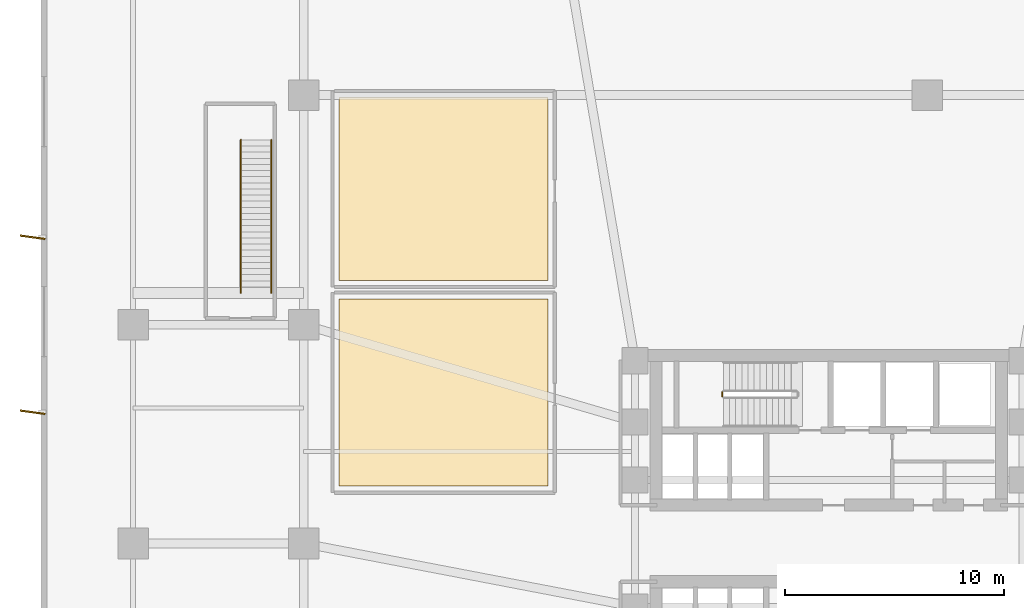
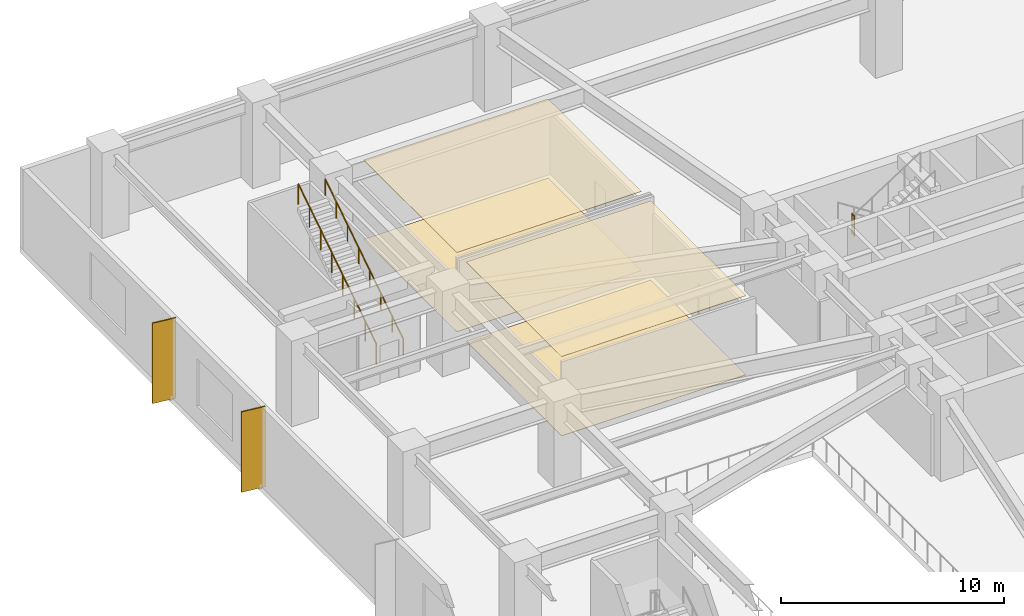
# One storey, part 10 of 12: 4 coverings, 3 railings, 2 shading devices.
"""IFC4 building model written with IfcOpenShell, lengths in metres."""

import ifcopenshell
import ifcopenshell.guid

model = None  # the IFC model being written
_history = None  # IfcOwnerHistory: only IFC2X3 demands one
_inside = {}  # id of a spatial element -> (the spatial element, [elements in it])
_under = {}  # id of a project, library or spatial element -> (it, [spatial elements below it])
_declared = {}  # id of a project -> (the project, [libraries it declares])
_typed = {}  # id of a type object -> (the type object, [elements of that type])
_made_of = {}  # id of a material, layer set ... -> (it, [elements and type objects made of it])


def new_model(schema):
    """Start an empty IFC model of exactly this schema.

    Asked for "IFC4X3", IfcOpenShell would pick the latest addendum, in which some entities
    have other attributes; the version numbers below select the first issue.
    IFC2X3 requires an IfcOwnerHistory on every rooted entity: one is made here for all.
    """
    global model, _history
    if schema == "IFC4X3":
        model = ifcopenshell.file(schema_version=(4, 3, 0, 0))
    else:
        model = ifcopenshell.file(schema=schema)
    _inside.clear()
    _under.clear()
    _declared.clear()
    _typed.clear()
    _made_of.clear()
    _history = None
    if model.schema == "IFC2X3":
        org = make("IfcOrganization", Name="unknown")
        user = make(
            "IfcPersonAndOrganization",
            ThePerson=make("IfcPerson", FamilyName="unknown"),
            TheOrganization=org,
        )
        app = make(
            "IfcApplication",
            ApplicationDeveloper=org,
            Version="unknown",
            ApplicationFullName="unknown",
            ApplicationIdentifier="unknown",
        )
        _history = make(
            "IfcOwnerHistory",
            OwningUser=user,
            OwningApplication=app,
            ChangeAction="ADDED",
            CreationDate=0,
        )
    return model


def make(cls, **values):
    """One entity of the class cls with the attributes given. An attribute that is None is left unset."""
    return model.create_entity(
        cls, **{name: value for name, value in values.items() if value is not None}
    )


def rooted(cls, **values):
    """An entity with a GlobalId (a new one), such as an element, a storey or a relation."""
    return make(cls, GlobalId=ifcopenshell.guid.new(), OwnerHistory=_history, **values)


def si_unit(unit_type, name, prefix=None):
    """IfcSIUnit, for example si_unit("LENGTHUNIT", "METRE", prefix="MILLI")."""
    return make("IfcSIUnit", UnitType=unit_type, Prefix=prefix, Name=name)


def assignment(units):
    """IfcUnitAssignment: the units of a project."""
    return None if units is None else make("IfcUnitAssignment", Units=units)


def point(xyz):
    """IfcCartesianPoint."""
    return None if xyz is None else make("IfcCartesianPoint", Coordinates=xyz)


def direction(xyz):
    """IfcDirection."""
    return None if xyz is None else make("IfcDirection", DirectionRatios=xyz)


def frame(location, z_axis=None, x_axis=None):
    """IfcAxis2Placement3D, a coordinate frame: its origin and axes. An axis left out is left unset."""
    return make(
        "IfcAxis2Placement3D",
        Location=point(location),
        Axis=direction(z_axis),
        RefDirection=direction(x_axis),
    )


def frame_2d(location, x_axis=None):
    """IfcAxis2Placement2D, a coordinate frame in the plane: its origin and x axis."""
    return make(
        "IfcAxis2Placement2D", Location=point(location), RefDirection=direction(x_axis)
    )


def origin():
    """The frame at (0, 0, 0) with its axes left unset."""
    return frame((0.0, 0.0, 0.0))


def origin_2d():
    """The frame at (0, 0) in the plane with its x axis left unset."""
    return frame_2d((0.0, 0.0))


def place(relative_to, where):
    """IfcLocalPlacement: puts the frame where relative to a parent placement (None: the world)."""
    return make(
        "IfcLocalPlacement", PlacementRelTo=relative_to, RelativePlacement=where
    )


def context(
    kind, dimensions, precision=None, world=None, true_north=None, identifier=None
):
    """IfcGeometricRepresentationContext, for example the 3D "Model" context."""
    return make(
        "IfcGeometricRepresentationContext",
        ContextIdentifier=identifier,
        ContextType=kind,
        CoordinateSpaceDimension=dimensions,
        Precision=precision,
        WorldCoordinateSystem=world,
        TrueNorth=true_north,
    )


def subcontext(parent, identifier, kind, view, scale=None):
    """IfcGeometricRepresentationSubContext, for example "Body" below "Model"."""
    return make(
        "IfcGeometricRepresentationSubContext",
        ContextIdentifier=identifier,
        ContextType=kind,
        ParentContext=parent,
        TargetScale=scale,
        TargetView=view,
    )


def project(units=None, contexts=None):
    """IfcProject with its units and contexts."""
    return rooted(
        "IfcProject",
        Name="project",
        RepresentationContexts=contexts,
        UnitsInContext=assignment(units),
    )


def spatial(cls, under=None, at=None, **own):
    """A site, building, storey or space (cls), placed at a placement, below another one or the project."""
    s = rooted(cls, ObjectPlacement=at, **own)
    if under is not None:
        _under.setdefault(under.id(), (under, []))[1].append(s)
    return s


def polyline(points):
    """IfcPolyline through the points."""
    return make("IfcPolyline", Points=[point(p) for p in points])


def profile(cls, at=None, kind="AREA", **sizes):
    """A parametric profile (cls). Its sizes go by their IFC names, for example OverallWidth=200.0."""
    return make(cls, ProfileType=kind, Position=at, **sizes)


def rectangle(**sizes):
    """IfcRectangleProfileDef."""
    return profile("IfcRectangleProfileDef", **sizes)


def circle(**sizes):
    """IfcCircleProfileDef."""
    return profile("IfcCircleProfileDef", **sizes)


def outline(outer, holes=None, kind="AREA"):
    """IfcArbitraryClosedProfileDef: a profile drawn as a closed curve; with holes, ...WithVoids."""
    if holes is None:
        return make("IfcArbitraryClosedProfileDef", ProfileType=kind, OuterCurve=outer)
    return make(
        "IfcArbitraryProfileDefWithVoids",
        ProfileType=kind,
        OuterCurve=outer,
        InnerCurves=holes,
    )


def extrude(swept, where, along, depth):
    """IfcExtrudedAreaSolid: the profile swept, set in the frame where, extruded along a direction by depth."""
    return make(
        "IfcExtrudedAreaSolid",
        SweptArea=swept,
        Position=where,
        ExtrudedDirection=direction(along),
        Depth=depth,
    )


def shape(context_of_items, identifier, shape_type, items):
    """IfcShapeRepresentation: the items that make up one representation, for example the "Body"."""
    return make(
        "IfcShapeRepresentation",
        ContextOfItems=context_of_items,
        RepresentationIdentifier=identifier,
        RepresentationType=shape_type,
        Items=items,
    )


def material(Name=None, Category=None):
    """IfcMaterial."""
    return make("IfcMaterial", Name=Name, Category=Category)


def layer(
    of_material, thickness, ventilated=None, Name=None, Category=None, Priority=None
):
    """IfcMaterialLayer: one layer of a wall or slab, of a material (None: an air gap)."""
    return make(
        "IfcMaterialLayer",
        Material=of_material,
        LayerThickness=thickness,
        IsVentilated=ventilated,
        Name=Name,
        Category=Category,
        Priority=Priority,
    )


def layer_set(layers, Name=None):
    """IfcMaterialLayerSet."""
    return make("IfcMaterialLayerSet", MaterialLayers=layers, LayerSetName=Name)


def made_of(thing, what):
    """Note that an element or type object is made of a material, layer set ...; save() writes the relation."""
    if what is not None:
        _made_of.setdefault(what.id(), (what, []))[1].append(thing)
    return thing


def type_object(cls, material=None, **own):
    """A type object (cls), such as IfcWallType, which elements share."""
    return made_of(rooted(cls, **own), material)


def element(
    cls,
    number,
    at=None,
    inside=None,
    cuts=None,
    type_object=None,
    material=None,
    context=None,
    identifier="Body",
    shape_type=None,
    held_by="IfcProductDefinitionShape",
    body=None,
    shapes=None,
    **own,
):
    """One element of the class cls, such as IfcWall. Its Tag is "e" and its number.

    at: its placement. inside: the storey or other place that contains it. cuts: it is an
    opening in that element (IfcRelVoidsElement). A single representation is given by context,
    identifier, shape_type and body (its items); several are given by shapes. held_by: the class
    of the entity that holds the representations. save() writes the other relations.
    """
    e = rooted(cls, Tag="e%d" % number, ObjectPlacement=at, **own)
    if body is not None:
        shapes = [shape(context, identifier, shape_type, body)]
    if shapes is not None:
        e.Representation = make(held_by, Representations=shapes)
    if inside is not None:
        _inside.setdefault(inside.id(), (inside, []))[1].append(e)
    if cuts is not None:
        rooted(
            "IfcRelVoidsElement", RelatingBuildingElement=cuts, RelatedOpeningElement=e
        )
    if type_object is not None:
        _typed.setdefault(type_object.id(), (type_object, []))[1].append(e)
    return made_of(e, material)


def aggregate(whole, parts):
    """IfcRelAggregates: a whole, such as a stair, and the parts it consists of."""
    return rooted("IfcRelAggregates", RelatingObject=whole, RelatedObjects=parts)


def save(model, path):
    """Write the relations noted so far, then the file.

    IfcRelAggregates (storeys below a building ...), IfcRelContainedInSpatialStructure (elements
    in a storey), IfcRelDefinesByType, IfcRelAssociatesMaterial and IfcRelDeclares: one each for
    every whole, place, type object, material and project.
    """
    for whole, parts in _under.values():
        aggregate(whole, parts)
    for where, things in _inside.values():
        rooted(
            "IfcRelContainedInSpatialStructure",
            RelatedElements=things,
            RelatingStructure=where,
        )
    for kind, things in _typed.values():
        rooted("IfcRelDefinesByType", RelatedObjects=things, RelatingType=kind)
    for what, things in _made_of.values():
        rooted("IfcRelAssociatesMaterial", RelatedObjects=things, RelatingMaterial=what)
    for by, libraries in _declared.values():
        rooted("IfcRelDeclares", RelatingContext=by, RelatedDefinitions=libraries)
    model.write(path)


model = new_model("IFC4")

# Units and contexts
model_context = context("Model", 3, precision=1e-05, world=origin(), true_north=direction((0.0, 1.0)))
body_context = subcontext(model_context, "Body", "Model", "MODEL_VIEW")
ifc_project = project(units=[si_unit("LENGTHUNIT", "METRE"), si_unit("AREAUNIT", "SQUARE_METRE"), si_unit("VOLUMEUNIT", "CUBIC_METRE"), si_unit("PLANEANGLEUNIT", "RADIAN"), si_unit("MASSUNIT", "GRAM", prefix="KILO")], contexts=[model_context])

# Site, building, storey
site_placement = place(None, origin())
site = spatial("IfcSite", under=ifc_project, at=site_placement, CompositionType="ELEMENT")
building_placement = place(site_placement, origin())
building = spatial("IfcBuilding", under=site, at=building_placement, Name="Solmarez Civic Tower", CompositionType="ELEMENT")
storey_placement = place(building_placement, frame((0.0, 0.0, 5.39990234375)))
storey = spatial("IfcBuildingStorey", under=building, at=storey_placement, Name="L01", CompositionType="ELEMENT", Elevation=5.39990234375)

# Coverings
ifc_material_1 = material(Name="Perforated Mineral-Fibre Acoustic Ceiling")
ifc_layer_1 = layer(ifc_material_1, 0.02490234375)
ifc_layer_set_1 = layer_set([ifc_layer_1], Name="Perforated Mineral-Fibre Acoustic Ceiling")
covering_type_1 = type_object("IfcCoveringType", Name="COV-CEIL-ACOUSTIC", PredefinedType="CEILING", material=ifc_layer_set_1)
covering_1_placement = place(storey_placement, frame((0.0, 0.0, 4.335205078125)))
element("IfcCovering", 1, at=covering_1_placement, inside=storey, type_object=covering_type_1, Name="L01 Suspended Acoustic Ceiling 3", PredefinedType="CEILING", context=body_context, shape_type="SweptSolid", body=[
    extrude(outline(polyline([(-12.820068359375, 2.6201171875), (-12.820068359375, 11.179931640625), (-22.3798828125, 11.179931640625), (-22.3798828125, 2.6201171875), (-12.820068359375, 2.6201171875)])), origin(), (0.0, 0.0, 1.0), 0.02490234375),
])
covering_2_placement = place(storey_placement, frame((0.0, 0.0, 4.335205078125)))
element("IfcCovering", 2, at=covering_2_placement, inside=storey, type_object=covering_type_1, Name="L01 Suspended Acoustic Ceiling 4", PredefinedType="CEILING", context=body_context, shape_type="SweptSolid", body=[
    extrude(outline(polyline([(-12.820068359375, 12.02001953125), (-12.820068359375, 20.3798828125), (-22.3798828125, 20.3798828125), (-22.3798828125, 12.02001953125), (-12.820068359375, 12.02001953125)])), origin(), (0.0, 0.0, 1.0), 0.02490234375),
])
ifc_material_2 = material(Name="Polished Tropical Stone Terrazzo Flooring", Category="masonry")
ifc_layer_2 = layer(ifc_material_2, 0.02001953125)
ifc_layer_set_2 = layer_set([ifc_layer_2], Name="Polished Tropical Stone Terrazzo Flooring")
covering_type_2 = type_object("IfcCoveringType", Name="COV-FLOOR-TERRAZZO", PredefinedType="FLOORING", material=ifc_layer_set_2)
covering_3_placement = place(storey_placement, origin())
element("IfcCovering", 3, at=covering_3_placement, inside=storey, type_object=covering_type_2, Name="L01 Terrazzo Floor Finish 3", PredefinedType="FLOORING", context=body_context, shape_type="SweptSolid", body=[
    extrude(outline(polyline([(-12.820068359375, 2.6201171875), (-12.820068359375, 11.179931640625), (-22.3798828125, 11.179931640625), (-22.3798828125, 2.6201171875), (-12.820068359375, 2.6201171875)])), origin(), (0.0, 0.0, 1.0), 0.02001953125),
])
covering_4_placement = place(storey_placement, origin())
element("IfcCovering", 4, at=covering_4_placement, inside=storey, type_object=covering_type_2, Name="L01 Terrazzo Floor Finish 4", PredefinedType="FLOORING", context=body_context, shape_type="SweptSolid", body=[
    extrude(outline(polyline([(-12.820068359375, 12.02001953125), (-12.820068359375, 20.3798828125), (-22.3798828125, 20.3798828125), (-22.3798828125, 12.02001953125), (-12.820068359375, 12.02001953125)])), origin(), (0.0, 0.0, 1.0), 0.02001953125),
])

# Shading devices
ifc_material_3 = material(Name="Bronze Anodised Aluminium EN AW-6063 T6", Category="aluminium")
ifc_layer_3 = layer(ifc_material_3, 0.070068359375)
ifc_layer_set_3 = layer_set([ifc_layer_3], Name="Bronze Anodised Aluminium EN AW-6063 T6")
shading_device_type = type_object("IfcShadingDeviceType", Name="FIN-BRONZE-POD", PredefinedType="USERDEFINED", material=ifc_layer_set_3)
for number, where, z_axis, x_axis, name in (
    (5, (-36.39501953125, 6.0, -0.039794921875), (0.0, 0.0, 1.0), (-0.990983199715, 0.133986185418, 0.0), "L01 Anodised Bronze Solar Fin FIN-L01-W3"),
    (6, (-36.39501953125, 14.0, -0.039794921875), (0.0, 0.0, 1.0), (-0.990983199715, 0.133986185418, 0.0), "L01 Anodised Bronze Solar Fin FIN-L01-W4"),
):
    element("IfcShadingDevice", number, at=place(storey_placement, frame(where, z_axis=z_axis, x_axis=x_axis)), inside=storey, type_object=shading_device_type, Name=name, ObjectType="FIN", PredefinedType="USERDEFINED", context=body_context, shape_type="SweptSolid", body=[
        extrude(rectangle(XDim=1.14990234375, YDim=0.070068359375, at=origin_2d()), origin(), (0.0, 0.0, 1.0), 4.39990234375),
    ])

# Railings
ifc_material_4 = material(Name="Painted Steel Stairwell Safety Guard", Category="steel")
railing_type_1 = type_object("IfcRailingType", Name="GUARD-STAIR-1120", PredefinedType="BALUSTRADE", material=ifc_material_4)
railing_1_placement = place(storey_placement, frame((-4.860107421875, 6.919921875, 2.340087890625)))
element("IfcRailing", 7, at=railing_1_placement, inside=storey, type_object=railing_type_1, Name="L01 ST-1 stair guard 2", PredefinedType="BALUSTRADE", context=body_context, shape_type="SweptSolid", body=[
    extrude(circle(Radius=0.02392578125, at=origin_2d()), frame((0.0, 0.0, 1.09619140625), z_axis=(0.0, -1.0, 0.0), x_axis=(1.0, 0.0, 0.0)), (0.0, 0.0, 1.0), 0.199951171875),
    extrude(circle(Radius=0.02099609375, at=origin_2d()), origin(), (0.0, 0.0, 1.0), 1.072021484375),
    extrude(circle(Radius=0.02099609375, at=origin_2d()), frame((0.0, -0.199951171875, 0.0)), (0.0, 0.0, 1.0), 1.072021484375),
])
railing_2_placement = place(storey_placement, frame((-26.8701171875, 11.449951171875, 0.18017578125)))
element("IfcRailing", 8, at=railing_2_placement, inside=storey, type_object=railing_type_1, Name="L01 Stair ST-P3 Flight Guard", PredefinedType="BALUSTRADE", context=body_context, shape_type="SweptSolid", body=[
    extrude(circle(Radius=0.02392578125, at=origin_2d()), frame((0.0, 0.0, 1.09619140625), z_axis=(0.0, 0.841178475377, 0.540757591313), x_axis=(-1.0, 0.0, 0.0)), (0.0, 0.0, 1.0), 8.32177734375),
    extrude(circle(Radius=0.02099609375, at=origin_2d()), origin(), (0.0, 0.0, 1.0), 1.072021484375),
    extrude(circle(Radius=0.02099609375, at=origin_2d()), frame((0.0, 1.0, 0.642822265625)), (0.0, 0.0, 1.0), 1.072021484375),
    extrude(circle(Radius=0.02099609375, at=origin_2d()), frame((0.0, 2.0, 1.28564453125)), (0.0, 0.0, 1.0), 1.072021484375),
    extrude(circle(Radius=0.02099609375, at=origin_2d()), frame((0.0, 3.0, 1.928466796875)), (0.0, 0.0, 1.0), 1.072021484375),
    extrude(circle(Radius=0.02099609375, at=origin_2d()), frame((0.0, 4.0, 2.571533203125)), (0.0, 0.0, 1.0), 1.072021484375),
    extrude(circle(Radius=0.02099609375, at=origin_2d()), frame((0.0, 5.0, 3.21435546875)), (0.0, 0.0, 1.0), 1.072021484375),
    extrude(circle(Radius=0.02099609375, at=origin_2d()), frame((0.0, 6.0, 3.857177734375)), (0.0, 0.0, 1.0), 1.072021484375),
    extrude(circle(Radius=0.02099609375, at=origin_2d()), frame((0.0, 7.0, 4.5)), (0.0, 0.0, 1.0), 1.072021484375),
])
ifc_material_5 = material(Name="Brushed Stainless Steel Tube Handrail", Category="steel")
railing_type_2 = type_object("IfcRailingType", Name="HANDRAIL-STAIR-900", PredefinedType="HANDRAIL", material=ifc_material_5)
railing_3_placement = place(storey_placement, frame((-25.47998046875, 11.449951171875, 0.18017578125)))
element("IfcRailing", 9, at=railing_3_placement, inside=storey, type_object=railing_type_2, Name="L01 Stair ST-P3 Handrail", PredefinedType="HANDRAIL", context=body_context, shape_type="SweptSolid", body=[
    extrude(circle(Radius=0.02392578125, at=origin_2d()), frame((0.0, 0.0, 0.8759765625), z_axis=(0.0, 0.841178475377, 0.540757591313), x_axis=(-1.0, 0.0, 0.0)), (0.0, 0.0, 1.0), 8.32177734375),
    extrude(circle(Radius=0.02099609375, at=origin_2d()), origin(), (0.0, 0.0, 1.0), 0.851806640625),
    extrude(circle(Radius=0.02099609375, at=origin_2d()), frame((0.0, 1.0, 0.642822265625)), (0.0, 0.0, 1.0), 0.851806640625),
    extrude(circle(Radius=0.02099609375, at=origin_2d()), frame((0.0, 2.0, 1.28564453125)), (0.0, 0.0, 1.0), 0.851806640625),
    extrude(circle(Radius=0.02099609375, at=origin_2d()), frame((0.0, 3.0, 1.928466796875)), (0.0, 0.0, 1.0), 0.851806640625),
    extrude(circle(Radius=0.02099609375, at=origin_2d()), frame((0.0, 4.0, 2.571533203125)), (0.0, 0.0, 1.0), 0.851806640625),
    extrude(circle(Radius=0.02099609375, at=origin_2d()), frame((0.0, 5.0, 3.21435546875)), (0.0, 0.0, 1.0), 0.851806640625),
    extrude(circle(Radius=0.02099609375, at=origin_2d()), frame((0.0, 6.0, 3.857177734375)), (0.0, 0.0, 1.0), 0.851806640625),
    extrude(circle(Radius=0.02099609375, at=origin_2d()), frame((0.0, 7.0, 4.5)), (0.0, 0.0, 1.0), 0.851806640625),
])

save(model, "model.ifc")
